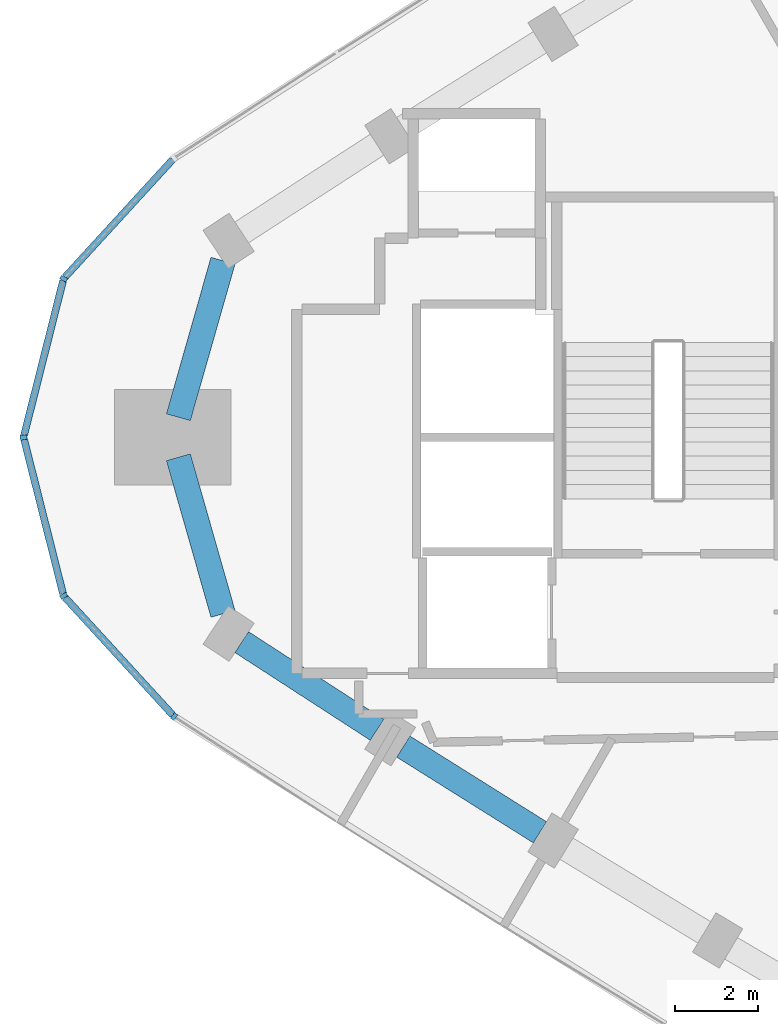
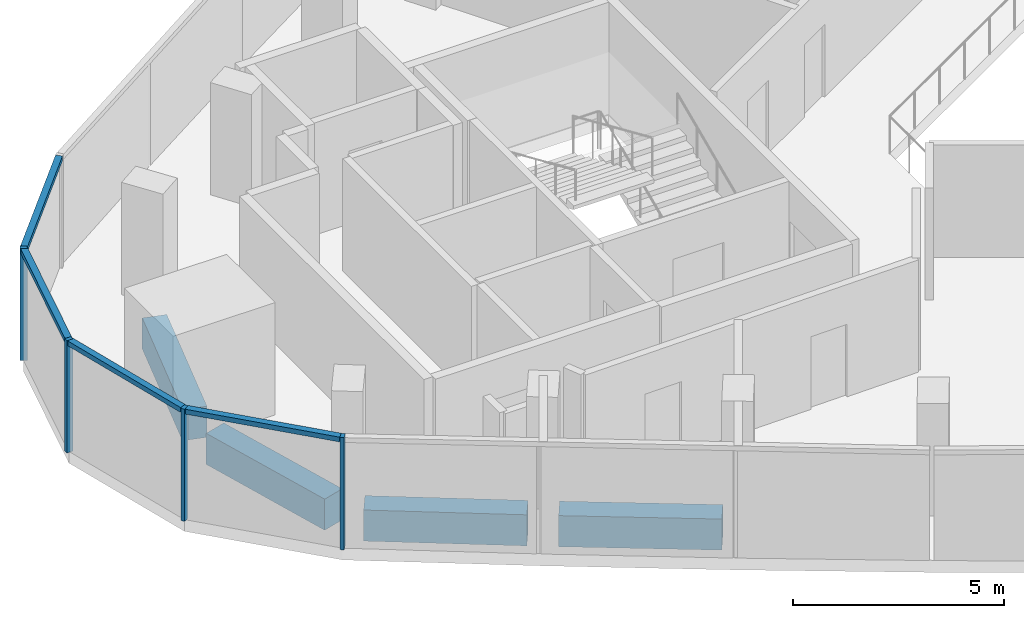
# One storey, part 2 of 11: 8 members, 4 beams, 2 elements without a shape of their own.
"""IFC4 building model written with IfcOpenShell, lengths in metres."""

from ifc_helpers import new_model, si_unit, direction, frame, origin, origin_2d, place, context, subcontext, project, spatial, rectangle, extrude, material, material_profile, profile_set, type_object, element, aggregate, save


model = new_model("IFC4")

# Units and contexts
model_context = context("Model", 3, precision=1e-05, world=origin(), true_north=direction((0.0, 1.0)))
body_context = subcontext(model_context, "Body", "Model", "MODEL_VIEW")
ifc_project = project(units=[si_unit("LENGTHUNIT", "METRE"), si_unit("AREAUNIT", "SQUARE_METRE"), si_unit("VOLUMEUNIT", "CUBIC_METRE"), si_unit("PLANEANGLEUNIT", "RADIAN"), si_unit("MASSUNIT", "GRAM", prefix="KILO")], contexts=[model_context])

# Site, building, storey
site_placement = place(None, origin())
site = spatial("IfcSite", under=ifc_project, at=site_placement, CompositionType="ELEMENT")
building_placement = place(site_placement, origin())
building = spatial("IfcBuilding", under=site, at=building_placement, Name="Tamra Quay Hotel Tower", CompositionType="ELEMENT")
storey_placement = place(building_placement, frame((0.0, 0.0, 246.60009765625)))
storey = spatial("IfcBuildingStorey", under=building, at=storey_placement, Name="L62", CompositionType="ELEMENT", Elevation=246.60009765625)

# Curtain wall, members
ifc_material_1 = material(Name="Aluminium 6063 anodised dark grey", Category="aluminium")
curtain_wall_type_1 = type_object("IfcCurtainWallType", Name="CW2 CURTAIN WALL", PredefinedType="NOTDEFINED", material=ifc_material_1)
curtain_wall_1_placement = place(storey_placement, origin())
curtain_wall_1 = element("IfcCurtainWall", 1, at=curtain_wall_1_placement, inside=storey, type_object=curtain_wall_type_1, Name="CW2 north-west face L62", PredefinedType="NOTDEFINED")
ifc_material_profile_1 = material_profile(ifc_material_1, rectangle(XDim=0.169921875, YDim=0.10009765625, at=origin_2d()), Name="MULLION 100X170")
ifc_profile_set_1 = profile_set([ifc_material_profile_1], Name="Aluminium 6063 anodised dark grey")
member_type_1 = type_object("IfcMemberType", Name="MULLION CW2 Z5", PredefinedType="MULLION", material=ifc_profile_set_1)
member_1_placement = place(storey_placement, frame((-28.0439453125, 3.812744140625, 0.0), z_axis=(0.0, 0.0, 1.0), x_axis=(-0.880266804781, 0.474479032624, 0.0)))
member_1 = element("IfcMember", 2, at=member_1_placement, type_object=member_type_1, Name="CW2 mullion L62.NW.10", PredefinedType="MULLION", context=body_context, shape_type="SweptSolid", body=[
    extrude(rectangle(XDim=0.169921875, YDim=0.10009765625, at=origin_2d()), origin(), (0.0, 0.0, 1.0), 3.25),
])
member_2_placement = place(storey_placement, frame((-29.006103515625, 0.0, 0.0), z_axis=(0.0, 0.0, 1.0), x_axis=(-1.0, 0.0, 0.0)))
member_2 = element("IfcMember", 3, at=member_2_placement, type_object=member_type_1, Name="CW2 mullion L62.NW.11", PredefinedType="MULLION", context=body_context, shape_type="SweptSolid", body=[
    extrude(rectangle(XDim=0.169921875, YDim=0.10009765625, at=origin_2d()), origin(), (0.0, 0.0, 1.0), 3.25),
])
member_3_placement = place(storey_placement, frame((-28.0439453125, -3.812744140625, 0.0), z_axis=(0.0, 0.0, 1.0), x_axis=(-0.880266804781, -0.474479032624, 0.0)))
member_3 = element("IfcMember", 4, at=member_3_placement, type_object=member_type_1, Name="CW2 mullion L62.NW.12", PredefinedType="MULLION", context=body_context, shape_type="SweptSolid", body=[
    extrude(rectangle(XDim=0.169921875, YDim=0.10009765625, at=origin_2d()), origin(), (0.0, 0.0, 1.0), 3.25),
])

# Curtain wall, member
curtain_wall_type_2 = type_object("IfcCurtainWallType", Name="CW3 CURTAIN WALL", PredefinedType="NOTDEFINED", material=ifc_material_1)
curtain_wall_2_placement = place(storey_placement, origin())
curtain_wall_2 = element("IfcCurtainWall", 5, at=curtain_wall_2_placement, inside=storey, type_object=curtain_wall_type_2, Name="CW3 south-west face L62", PredefinedType="NOTDEFINED")
ifc_material_profile_2 = material_profile(ifc_material_1, rectangle(XDim=0.169921875, YDim=0.10009765625, at=origin_2d()), Name="MULLION 100X170")
ifc_profile_set_2 = profile_set([ifc_material_profile_2], Name="Aluminium 6063 anodised dark grey")
member_type_2 = type_object("IfcMemberType", Name="MULLION CW3 Z5", PredefinedType="MULLION", material=ifc_profile_set_2)
member_4_placement = place(storey_placement, frame((-25.387939453125, -6.712646484375, 0.0), z_axis=(0.0, 0.0, 1.0), x_axis=(-0.64584626761, -0.763467483665, 0.0)))
member_4 = element("IfcMember", 6, at=member_4_placement, type_object=member_type_2, Name="CW3 mullion L62.SW.1", PredefinedType="MULLION", context=body_context, shape_type="SweptSolid", body=[
    extrude(rectangle(XDim=0.169921875, YDim=0.10009765625, at=origin_2d()), origin(), (0.0, 0.0, 1.0), 3.25),
])
aggregate(curtain_wall_2, [member_4])

# Beams
ifc_material_2 = material(Name="Concrete M60", Category="concrete")
ifc_material_profile_3 = material_profile(ifc_material_2, rectangle(XDim=0.60009765625, YDim=0.89990234375, at=origin_2d()), Name="SPANDREL BEAM RC 600x900")
ifc_profile_set_3 = profile_set([ifc_material_profile_3], Name="Concrete M60")
beam_type = type_object("IfcBeamType", Name="SPANDREL BEAM RC 600x900", PredefinedType="SPANDREL", material=ifc_profile_set_3)
for number, where, z_axis, x_axis, name in (
    (7, (-24.2119140625, 4.24365234375, -0.800048828125), (-0.273913429616, -0.961754351732, 0.0), (0.961754351732, -0.273913429616, 0.0), "BM-SP5-018-L62"),
    (8, (-25.28369140625, -0.48046875, -0.800048828125), (0.273913429616, -0.961754351732, 0.0), (0.961754351732, 0.273913429616, 0.0), "BM-SP5-019-L62"),
):
    element("IfcBeam", number, at=place(storey_placement, frame(where, z_axis=z_axis, x_axis=x_axis)), inside=storey, type_object=beam_type, Name=name, PredefinedType="SPANDREL", context=body_context, shape_type="SweptSolid", body=[
        extrude(rectangle(XDim=0.60009765625, YDim=0.89990234375, at=origin_2d()), origin(), (0.0, 0.0, 1.0), 3.912841796875),
    ])
beam_1_placement = place(storey_placement, frame((-23.76171875, -4.923583984375, -0.800048828125), z_axis=(0.839181205466, -0.543851914029, 0.0), x_axis=(0.543851914029, 0.839181205466, 0.0)))
element("IfcBeam", 9, at=beam_1_placement, inside=storey, type_object=beam_type, Name="BM-SP5-020-L62", PredefinedType="SPANDREL", context=body_context, shape_type="SweptSolid", body=[
    extrude(rectangle(XDim=0.60009765625, YDim=0.89990234375, at=origin_2d()), origin(), (0.0, 0.0, 1.0), 3.87548828125),
])
beam_2_placement = place(storey_placement, frame((-19.877197265625, -7.4345703125, -0.800048828125), z_axis=(0.847066119134, -0.53148752555, 0.0), x_axis=(0.53148752555, 0.847066119134, 0.0)))
element("IfcBeam", 10, at=beam_2_placement, inside=storey, type_object=beam_type, Name="BM-SP5-021-L62", PredefinedType="SPANDREL", context=body_context, shape_type="SweptSolid", body=[
    extrude(rectangle(XDim=0.60009765625, YDim=0.89990234375, at=origin_2d()), origin(), (0.0, 0.0, 1.0), 3.875),
])

# Member
ifc_material_profile_4 = material_profile(ifc_material_1, rectangle(XDim=0.169921875, YDim=0.139892578125, at=origin_2d()), Name="TRANSOM 170X140")
ifc_profile_set_4 = profile_set([ifc_material_profile_4], Name="Aluminium 6063 anodised dark grey")
member_type_3 = type_object("IfcMemberType", Name="TRANSOM CW2 Z5", PredefinedType="USERDEFINED", material=ifc_profile_set_4)
member_5_placement = place(storey_placement, frame((-25.421630859375, 6.67578125, 3.179931640625), z_axis=(-0.675436113267, -0.737418508647, 0.0), x_axis=(0.737418508647, -0.675436113267, 0.0)))
member_5 = element("IfcMember", 11, at=member_5_placement, type_object=member_type_3, Name="CW2 transom L62.NW.9", ObjectType="TRANSOM", PredefinedType="USERDEFINED", context=body_context, shape_type="SweptSolid", body=[
    extrude(rectangle(XDim=0.169921875, YDim=0.139892578125, at=origin_2d()), origin(), (0.0, 0.0, 1.0), 3.83251953125),
])

member_6_placement = place(storey_placement, frame((-28.05615234375, 3.764404296875, 3.179931640625), z_axis=(-0.244693523111, -0.969600474292, 0.0), x_axis=(0.969600474292, -0.244693523111, 0.0)))
member_6 = element("IfcMember", 12, at=member_6_placement, type_object=member_type_3, Name="CW2 transom L62.NW.10", ObjectType="TRANSOM", PredefinedType="USERDEFINED", context=body_context, shape_type="SweptSolid", body=[
    extrude(rectangle(XDim=0.169921875, YDim=0.139892578125, at=origin_2d()), origin(), (0.0, 0.0, 1.0), 3.832275390625),
])

member_7_placement = place(storey_placement, frame((-28.993896484375, -0.048583984375, 3.179931640625), z_axis=(0.244693523111, -0.969600474292, 0.0), x_axis=(0.969600474292, 0.244693523111, 0.0)))
member_7 = element("IfcMember", 13, at=member_7_placement, type_object=member_type_3, Name="CW2 transom L62.NW.11", ObjectType="TRANSOM", PredefinedType="USERDEFINED", context=body_context, shape_type="SweptSolid", body=[
    extrude(rectangle(XDim=0.169921875, YDim=0.139892578125, at=origin_2d()), origin(), (0.0, 0.0, 1.0), 3.832275390625),
])

member_8_placement = place(storey_placement, frame((-28.01025390625, -3.849609375, 3.179931640625), z_axis=(0.675436113267, -0.737418508647, 0.0), x_axis=(0.737418508647, 0.675436113267, 0.0)))
member_8 = element("IfcMember", 14, at=member_8_placement, type_object=member_type_3, Name="CW2 transom L62.NW.12", ObjectType="TRANSOM", PredefinedType="USERDEFINED", context=body_context, shape_type="SweptSolid", body=[
    extrude(rectangle(XDim=0.169921875, YDim=0.139892578125, at=origin_2d()), origin(), (0.0, 0.0, 1.0), 3.83251953125),
])

aggregate(curtain_wall_1, [member_5, member_1, member_6, member_2, member_7, member_3, member_8])

save(model, "model.ifc")
